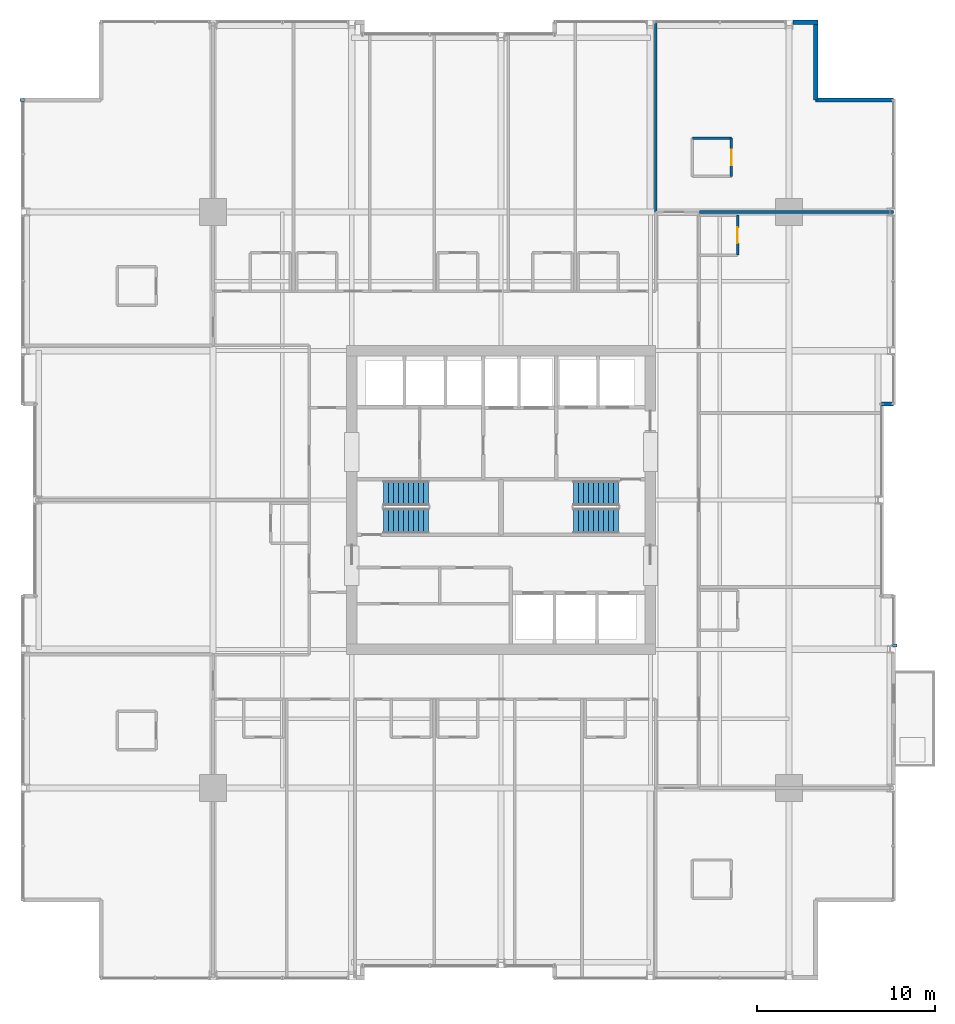
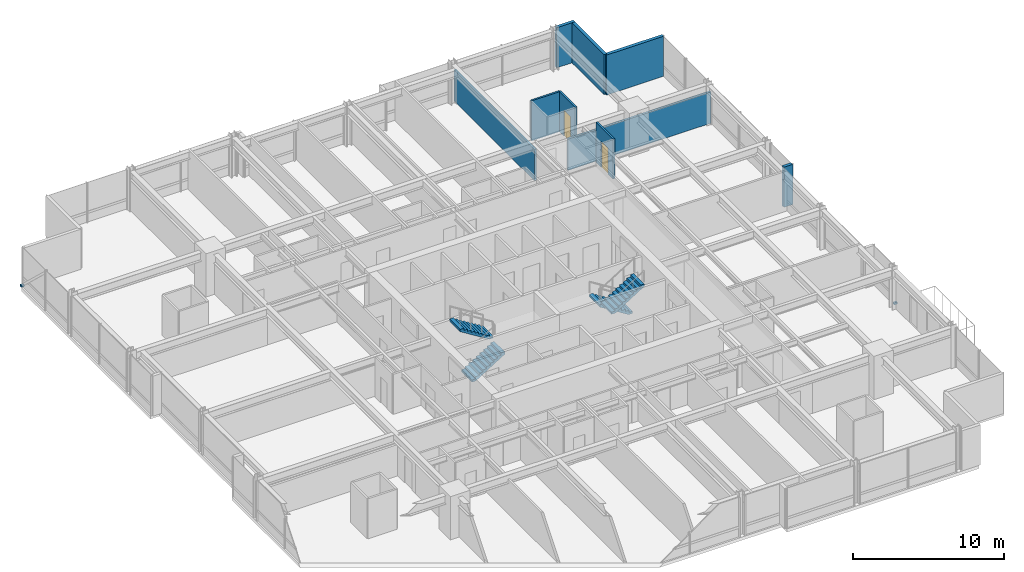
# One storey, part 32 of 34: 9 walls, 4 stair flights, 2 discrete accessories, 2 doors, 2 openings, 2 elements without a shape of their own.
"""IFC4 building model written with IfcOpenShell, lengths in metres."""

from ifc_helpers import new_model, si_unit, direction, frame, frame_2d, origin, origin_2d, place, context, subcontext, project, spatial, polyline, rectangle, outline, extrude, material, layer, layer_set, type_object, element, fill, aggregate, save


model = new_model("IFC4")

# Units and contexts
model_context = context("Model", 3, precision=1e-05, world=origin(), true_north=direction((0.0, 1.0)))
body_context = subcontext(model_context, "Body", "Model", "MODEL_VIEW")
ifc_project = project(units=[si_unit("LENGTHUNIT", "METRE"), si_unit("AREAUNIT", "SQUARE_METRE"), si_unit("VOLUMEUNIT", "CUBIC_METRE"), si_unit("PLANEANGLEUNIT", "RADIAN"), si_unit("MASSUNIT", "GRAM", prefix="KILO")], contexts=[model_context])

# Site, building, storey
site_placement = place(None, origin())
site = spatial("IfcSite", under=ifc_project, at=site_placement, CompositionType="ELEMENT")
building_placement = place(site_placement, origin())
building = spatial("IfcBuilding", under=site, at=building_placement, Name="Drelvath Grand Hotel", CompositionType="ELEMENT")
storey_placement = place(building_placement, frame((0.0, 0.0, 133.800048828125)))
storey = spatial("IfcBuildingStorey", under=building, at=storey_placement, Name="L34", CompositionType="ELEMENT", Elevation=133.800048828125)

# Wall
ifc_material_1 = material(Name="Moisture-Resistant Gypsum Board")
ifc_layer_1 = layer(ifc_material_1, 0.139892578125)
ifc_layer_set_1 = layer_set([ifc_layer_1], Name="Moisture-Resistant Gypsum Board")
wall_type_1 = type_object("IfcWallType", Name="En-Suite Plumbing Wall 140", PredefinedType="PLUMBINGWALL", material=ifc_layer_set_1)
wall_1_placement = place(storey_placement, frame((10.760009765625, 47.35009765625, 0.0), z_axis=(0.0, 0.0, 1.0), x_axis=(1.0, 0.0, 0.0)))
element("IfcWall", 1, at=wall_1_placement, inside=storey, type_object=wall_type_1, Name="L34 Corner En-Suite North", PredefinedType="PLUMBINGWALL", context=body_context, shape_type="SweptSolid", body=[
    extrude(rectangle(XDim=2.199951171875, YDim=0.139892578125, at=frame_2d((1.10009765625, 0.0))), origin(), (0.0, 0.0, 1.0), 3.239990234375),
])

# Wall, opening, door
wall_2_placement = place(storey_placement, frame((12.9599609375, 45.199951171875, 0.0), z_axis=(0.0, 0.0, 1.0), x_axis=(0.0, 1.0, 0.0)))
wall_2 = element("IfcWall", 2, at=wall_2_placement, inside=storey, type_object=wall_type_1, Name="L34 Corner En-Suite East", PredefinedType="PLUMBINGWALL", context=body_context, shape_type="SweptSolid", body=[
    extrude(rectangle(XDim=2.150146484375, YDim=0.139892578125, at=frame_2d((1.0751953125, 0.0))), origin(), (0.0, 0.0, 1.0), 3.239990234375),
])
opening_1_placement = place(wall_2_placement, frame((0.6201171875, 0.0, 0.0)))
opening_1 = element("IfcOpeningElement", 3, at=opening_1_placement, cuts=wall_2, Name="Opening D-T2G5-027", PredefinedType="OPENING", context=body_context, shape_type="SweptSolid", body=[
    extrude(rectangle(XDim=0.8798828125, YDim=2.10009765625, at=frame_2d((0.43994140625, 1.050048828125))), frame((0.0, 0.079833984375, 0.0), z_axis=(0.0, -1.0, 0.0), x_axis=(1.0, 0.0, 0.0)), (0.0, 0.0, 1.0), 0.159912109375),
])
ifc_material_2 = material(Name="Hardwood Walnut Timber", Category="wood")
door_type = type_object("IfcDoorType", Name="En-Suite Bathroom Door 880x2100", OperationType="NOTDEFINED", PredefinedType="DOOR", material=ifc_material_2)
door_1_placement = place(opening_1_placement, origin())
door_1 = element("IfcDoor", 4, at=door_1_placement, inside=storey, type_object=door_type, Name="L34 Corner En-Suite Door", OperationType="SINGLE_SWING_RIGHT", OverallHeight=2.10009765625, OverallWidth=0.8798828125, PredefinedType="DOOR", context=body_context, shape_type="SweptSolid", body=[
    extrude(rectangle(XDim=0.8798828125, YDim=2.10009765625, at=frame_2d((0.43994140625, 1.050048828125))), frame((0.0, 0.02490234375, 0.0), z_axis=(0.0, -1.0, 0.0), x_axis=(1.0, 0.0, 0.0)), (0.0, 0.0, 1.0), 0.050048828125),
])
fill(opening_1, door_1)

wall_3_placement = place(storey_placement, frame((13.300048828125, 40.77001953125, 0.0), z_axis=(0.0, 0.0, 1.0), x_axis=(0.0, 1.0, 0.0)))
wall_3 = element("IfcWall", 5, at=wall_3_placement, inside=storey, type_object=wall_type_1, Name="L34 En-Suite Front Wall", PredefinedType="PLUMBINGWALL", context=body_context, shape_type="SweptSolid", body=[
    extrude(rectangle(XDim=2.25, YDim=0.139892578125, at=frame_2d((1.125, 0.0))), origin(), (0.0, 0.0, 1.0), 3.239990234375),
])
opening_2_placement = place(wall_3_placement, frame((0.68505859375, 0.0, 0.0)))
opening_2 = element("IfcOpeningElement", 6, at=opening_2_placement, cuts=wall_3, Name="Opening D-T2G5-053", PredefinedType="OPENING", context=body_context, shape_type="SweptSolid", body=[
    extrude(rectangle(XDim=0.8798828125, YDim=2.10009765625, at=frame_2d((0.43994140625, 1.050048828125))), frame((0.0, 0.079833984375, 0.0), z_axis=(0.0, -1.0, 0.0), x_axis=(1.0, 0.0, 0.0)), (0.0, 0.0, 1.0), 0.159912109375),
])
door_2_placement = place(opening_2_placement, origin())
door_2 = element("IfcDoor", 7, at=door_2_placement, inside=storey, type_object=door_type, Name="L34 En-Suite Bathroom Door", OperationType="SINGLE_SWING_RIGHT", OverallHeight=2.10009765625, OverallWidth=0.8798828125, PredefinedType="DOOR", context=body_context, shape_type="SweptSolid", body=[
    extrude(rectangle(XDim=0.8798828125, YDim=2.10009765625, at=frame_2d((0.43994140625, 1.050048828125))), frame((0.0, 0.02490234375, 0.0), z_axis=(0.0, -1.0, 0.0), x_axis=(1.0, 0.0, 0.0)), (0.0, 0.0, 1.0), 0.050048828125),
])
fill(opening_2, door_2)

# Walls
ifc_material_3 = material(Name="Gypsum Acoustic Partition")
ifc_layer_2 = layer(ifc_material_3, 0.1650390625)
ifc_layer_set_2 = layer_set([ifc_layer_2], Name="Gypsum Acoustic Partition")
wall_type_2 = type_object("IfcWallType", Name="Suite Demising Wall 165", PredefinedType="PARTITIONING", material=ifc_layer_set_2)
wall_4_placement = place(storey_placement, frame((8.699951171875, 43.199951171875, 0.0), z_axis=(0.0, 0.0, 1.0), x_axis=(0.0, 1.0, 0.0)))
element("IfcWall", 8, at=wall_4_placement, inside=storey, type_object=wall_type_2, Name="L34 NE Suite West Wall", PredefinedType="PARTITIONING", context=body_context, shape_type="SweptSolid", body=[
    extrude(rectangle(XDim=10.679931640625, YDim=0.1650390625, at=frame_2d((5.33984375, 0.0))), origin(), (0.0, 0.0, 1.0), 2.529541015625),
])
wall_5_placement = place(storey_placement, frame((11.14990234375, 43.199951171875, 0.0), z_axis=(0.0, 0.0, 1.0), x_axis=(1.0, 0.0, 0.0)))
element("IfcWall", 9, at=wall_5_placement, inside=storey, type_object=wall_type_2, Name="L34 NE Suite South Wall", PredefinedType="PARTITIONING", context=body_context, shape_type="SweptSolid", body=[
    extrude(rectangle(XDim=10.93017578125, YDim=0.1650390625, at=frame_2d((5.465087890625, 0.0))), origin(), (0.0, 0.0, 1.0), 2.529541015625),
])
ifc_material_4 = material(Name="Pale-Metal Insulated Aluminium Spandrel Assembly", Category="aluminium")
ifc_layer_3 = layer(ifc_material_4, 0.239990234375)
ifc_layer_set_3 = layer_set([ifc_layer_3], Name="Pale-Metal Insulated Aluminium Spandrel Assembly")
wall_type_3 = type_object("IfcWallType", Name="Tower Insulated Metal Spandrel Closure Wall 240", PredefinedType="STANDARD", material=ifc_layer_set_3)
wall_6_placement = place(storey_placement, frame((16.409423828125, 53.8798828125, 0.0), z_axis=(0.0, 0.0, 1.0), x_axis=(1.0, 0.0, 0.0)))
element("IfcWall", 10, at=wall_6_placement, inside=storey, type_object=wall_type_3, Name="L34 Corner Pier Spandrel Wall NE3", PredefinedType="STANDARD", context=body_context, shape_type="SweptSolid", body=[
    extrude(rectangle(XDim=1.41064453125, YDim=0.239990234375, at=frame_2d((0.705322265625, 0.0))), origin(), (0.0, 0.0, 1.0), 3.239990234375),
])
wall_7_placement = place(storey_placement, frame((17.699951171875, 53.760009765625, 0.0), z_axis=(0.0, 0.0, 1.0), x_axis=(0.0, -1.0, 0.0)))
element("IfcWall", 11, at=wall_7_placement, inside=storey, type_object=wall_type_3, Name="L34 Notched Corner Return Spandrel Wall CNE1", PredefinedType="STANDARD", context=body_context, shape_type="SweptSolid", body=[
    extrude(rectangle(XDim=4.260009765625, YDim=0.239990234375, at=frame_2d((2.1298828125, 0.0))), origin(), (0.0, 0.0, 1.0), 3.239990234375),
])
wall_8_placement = place(storey_placement, frame((17.699951171875, 49.5, 0.0), z_axis=(0.0, 0.0, 1.0), x_axis=(1.0, 0.0, 0.0)))
element("IfcWall", 12, at=wall_8_placement, inside=storey, type_object=wall_type_3, Name="L34 Notched Corner Return Spandrel Wall CNE2", PredefinedType="STANDARD", context=body_context, shape_type="SweptSolid", body=[
    extrude(rectangle(XDim=4.380126953125, YDim=0.239990234375, at=frame_2d((2.18994140625, 0.0))), origin(), (0.0, 0.0, 1.0), 3.239990234375),
])
wall_9_placement = place(storey_placement, frame((22.080078125, 32.39990234375, 0.0), z_axis=(0.0, 0.0, 1.0), x_axis=(-1.0, 0.0, 0.0)))
element("IfcWall", 13, at=wall_9_placement, inside=storey, type_object=wall_type_3, Name="L34 Notched Corner Return Spandrel Wall RE1", PredefinedType="STANDARD", context=body_context, shape_type="SweptSolid", body=[
    extrude(rectangle(XDim=0.68017578125, YDim=0.239990234375, at=frame_2d((0.340087890625, 0.0))), origin(), (0.0, 0.0, 1.0), 3.239990234375),
])

# Stair, stair flights
ifc_material_5 = material(Name="Concrete C40/50", Category="concrete")
stair_type = type_object("IfcStairType", Name="Dogleg Exit Stair W1400-R175.0", PredefinedType="HALF_TURN_STAIR", material=ifc_material_5)
stair_1_placement = place(storey_placement, origin())
stair_1 = element("IfcStair", 14, at=stair_1_placement, inside=storey, type_object=stair_type, Name="L34 Core Exit Stair ST-1", PredefinedType="HALF_TURN_STAIR")
stair_flight_type = type_object("IfcStairFlightType", Name="Concrete Stair Flight W1400-R175.0", PredefinedType="STRAIGHT", material=ifc_material_5)
stair_flight_1_placement = place(storey_placement, frame((-6.60009765625, 25.820068359375, 0.0), z_axis=(0.0, 0.0, 1.0), x_axis=(1.0, 0.0, 0.0)))
stair_flight_1 = element("IfcStairFlight", 15, at=stair_flight_1_placement, type_object=stair_flight_type, Name="ST-1 flight 1", NumberOfRisers=10, NumberOfTreads=9, PredefinedType="STRAIGHT", RiserHeight=0.175, TreadLength=0.28, context=body_context, shape_type="SweptSolid", body=[
    extrude(outline(polyline([(0.0, 0.0), (0.0, 0.175048828125), (0.280029296875, 0.175048828125), (0.280029296875, 0.35009765625), (0.56005859375, 0.35009765625), (0.56005859375, 0.52490234375), (0.840087890625, 0.52490234375), (0.840087890625, 0.699951171875), (1.1201171875, 0.699951171875), (1.1201171875, 0.875), (1.39990234375, 0.875), (1.39990234375, 1.050048828125), (1.679931640625, 1.050048828125), (1.679931640625, 1.22509765625), (1.9599609375, 1.22509765625), (1.9599609375, 1.39990234375), (2.239990234375, 1.39990234375), (2.239990234375, 1.574951171875), (2.52001953125, 1.574951171875), (2.52001953125, 1.75), (2.52001953125, 1.386474609375), (0.3017578125, 0.0), (0.0, 0.0)])), frame((0.0, 0.699951171875, 0.0), z_axis=(0.0, -1.0, 0.0), x_axis=(1.0, 0.0, 0.0)), (0.0, 0.0, 1.0), 1.39990234375),
])
stair_flight_2_placement = place(storey_placement, frame((-4.080078125, 27.3798828125, 1.75), z_axis=(0.0, 0.0, 1.0), x_axis=(-1.0, 0.0, 0.0)))
stair_flight_2 = element("IfcStairFlight", 16, at=stair_flight_2_placement, type_object=stair_flight_type, Name="ST-1 flight 2", NumberOfRisers=10, NumberOfTreads=9, PredefinedType="STRAIGHT", RiserHeight=0.175, TreadLength=0.28, context=body_context, shape_type="SweptSolid", body=[
    extrude(outline(polyline([(0.0, 0.0), (0.0, 0.175048828125), (0.280029296875, 0.175048828125), (0.280029296875, 0.35009765625), (0.56005859375, 0.35009765625), (0.56005859375, 0.52490234375), (0.840087890625, 0.52490234375), (0.840087890625, 0.699951171875), (1.1201171875, 0.699951171875), (1.1201171875, 0.875), (1.39990234375, 0.875), (1.39990234375, 1.050048828125), (1.679931640625, 1.050048828125), (1.679931640625, 1.22509765625), (1.9599609375, 1.22509765625), (1.9599609375, 1.39990234375), (2.239990234375, 1.39990234375), (2.239990234375, 1.574951171875), (2.52001953125, 1.574951171875), (2.52001953125, 1.75), (2.52001953125, 1.386474609375), (0.3017578125, 0.0), (0.0, 0.0)])), frame((0.0, 0.699951171875, 0.0), z_axis=(0.0, -1.0, 0.0), x_axis=(1.0, 0.0, 0.0)), (0.0, 0.0, 1.0), 1.39990234375),
])
aggregate(stair_1, [stair_flight_1, stair_flight_2])

stair_2_placement = place(storey_placement, origin())
stair_2 = element("IfcStair", 17, at=stair_2_placement, inside=storey, type_object=stair_type, Name="L34 Core Exit Stair ST-2", PredefinedType="HALF_TURN_STAIR")
stair_flight_3_placement = place(storey_placement, frame((6.60009765625, 27.3798828125, 0.0), z_axis=(0.0, 0.0, 1.0), x_axis=(-1.0, 0.0, 0.0)))
stair_flight_3 = element("IfcStairFlight", 18, at=stair_flight_3_placement, type_object=stair_flight_type, Name="ST-2 flight 1", NumberOfRisers=10, NumberOfTreads=9, PredefinedType="STRAIGHT", RiserHeight=0.175, TreadLength=0.28, context=body_context, shape_type="SweptSolid", body=[
    extrude(outline(polyline([(0.0, 0.0), (0.0, 0.175048828125), (0.280029296875, 0.175048828125), (0.280029296875, 0.35009765625), (0.56005859375, 0.35009765625), (0.56005859375, 0.52490234375), (0.840087890625, 0.52490234375), (0.840087890625, 0.699951171875), (1.1201171875, 0.699951171875), (1.1201171875, 0.875), (1.39990234375, 0.875), (1.39990234375, 1.050048828125), (1.679931640625, 1.050048828125), (1.679931640625, 1.22509765625), (1.9599609375, 1.22509765625), (1.9599609375, 1.39990234375), (2.239990234375, 1.39990234375), (2.239990234375, 1.574951171875), (2.52001953125, 1.574951171875), (2.52001953125, 1.75), (2.52001953125, 1.386474609375), (0.3017578125, 0.0), (0.0, 0.0)])), frame((0.0, 0.699951171875, 0.0), z_axis=(0.0, -1.0, 0.0), x_axis=(1.0, 0.0, 0.0)), (0.0, 0.0, 1.0), 1.39990234375),
])
stair_flight_4_placement = place(storey_placement, frame((4.080078125, 25.820068359375, 1.75), z_axis=(0.0, 0.0, 1.0), x_axis=(1.0, 0.0, 0.0)))
stair_flight_4 = element("IfcStairFlight", 19, at=stair_flight_4_placement, type_object=stair_flight_type, Name="ST-2 flight 2", NumberOfRisers=10, NumberOfTreads=9, PredefinedType="STRAIGHT", RiserHeight=0.175, TreadLength=0.28, context=body_context, shape_type="SweptSolid", body=[
    extrude(outline(polyline([(0.0, 0.0), (0.0, 0.175048828125), (0.280029296875, 0.175048828125), (0.280029296875, 0.35009765625), (0.56005859375, 0.35009765625), (0.56005859375, 0.52490234375), (0.840087890625, 0.52490234375), (0.840087890625, 0.699951171875), (1.1201171875, 0.699951171875), (1.1201171875, 0.875), (1.39990234375, 0.875), (1.39990234375, 1.050048828125), (1.679931640625, 1.050048828125), (1.679931640625, 1.22509765625), (1.9599609375, 1.22509765625), (1.9599609375, 1.39990234375), (2.239990234375, 1.39990234375), (2.239990234375, 1.574951171875), (2.52001953125, 1.574951171875), (2.52001953125, 1.75), (2.52001953125, 1.386474609375), (0.3017578125, 0.0), (0.0, 0.0)])), frame((0.0, 0.699951171875, 0.0), z_axis=(0.0, -1.0, 0.0), x_axis=(1.0, 0.0, 0.0)), (0.0, 0.0, 1.0), 1.39990234375),
])
aggregate(stair_2, [stair_flight_3, stair_flight_4])

# Discrete accessories
ifc_material_6 = material(Name="Stainless Steel Grade 316", Category="steel")
discrete_accessory_type = type_object("IfcDiscreteAccessoryType", Name="Curtain Wall Fin Mounting Bracket Cleat", PredefinedType="BRACKET", material=ifc_material_6)
for number, where, z_axis, x_axis, name in (
    (20, (-26.93994140625, 49.5, 0.10009765625), (0.0, 0.0, 1.0), (0.0, 1.0, 0.0), "L34 Fin Mounting Bracket CW03-L34-WN3-1"),
    (21, (22.139892578125, 18.809326171875, 0.10009765625), (0.0, 0.0, 1.0), (0.0, -1.0, 0.0), "L34 Fin Mounting Bracket CW03-L34-ES3-1"),
):
    element("IfcDiscreteAccessory", number, at=place(storey_placement, frame(where, z_axis=z_axis, x_axis=x_axis)), inside=storey, type_object=discrete_accessory_type, Name=name, PredefinedType="BRACKET", context=body_context, shape_type="SweptSolid", body=[
        extrude(rectangle(XDim=0.159912109375, YDim=0.239990234375, at=origin_2d()), origin(), (0.0, 0.0, 1.0), 0.159912109375),
    ])

save(model, "model.ifc")
